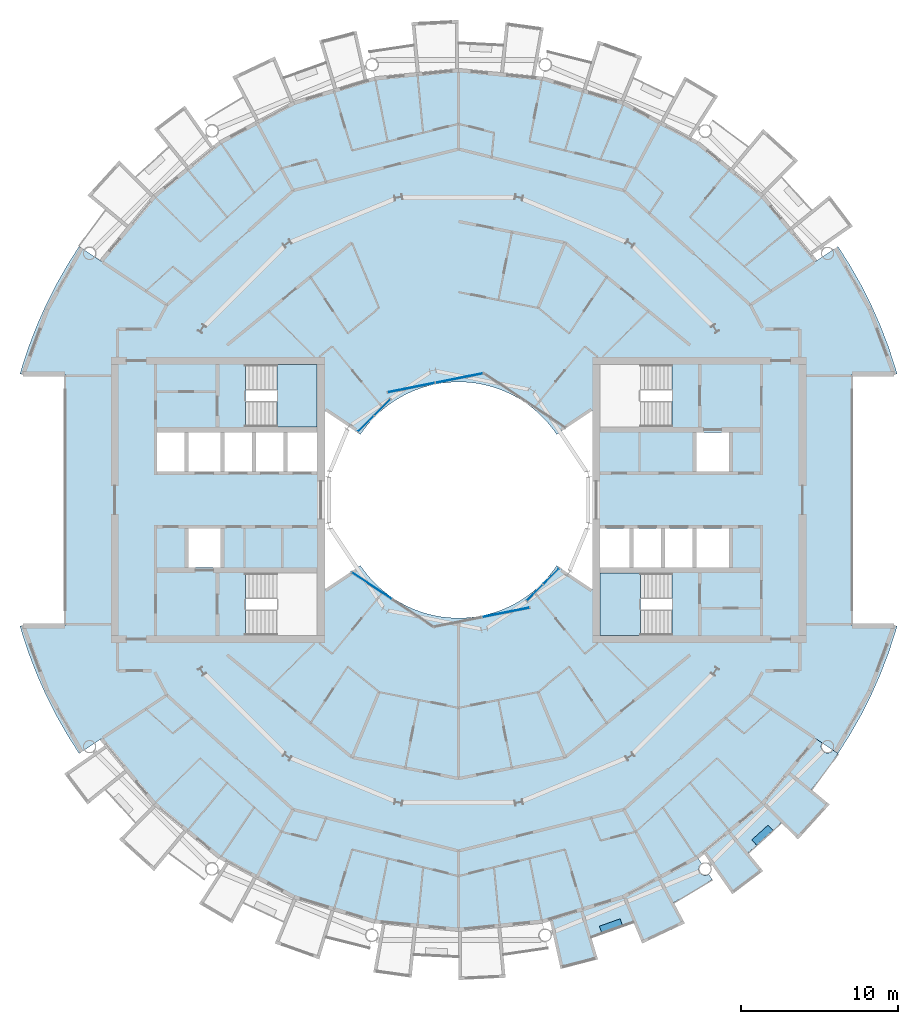
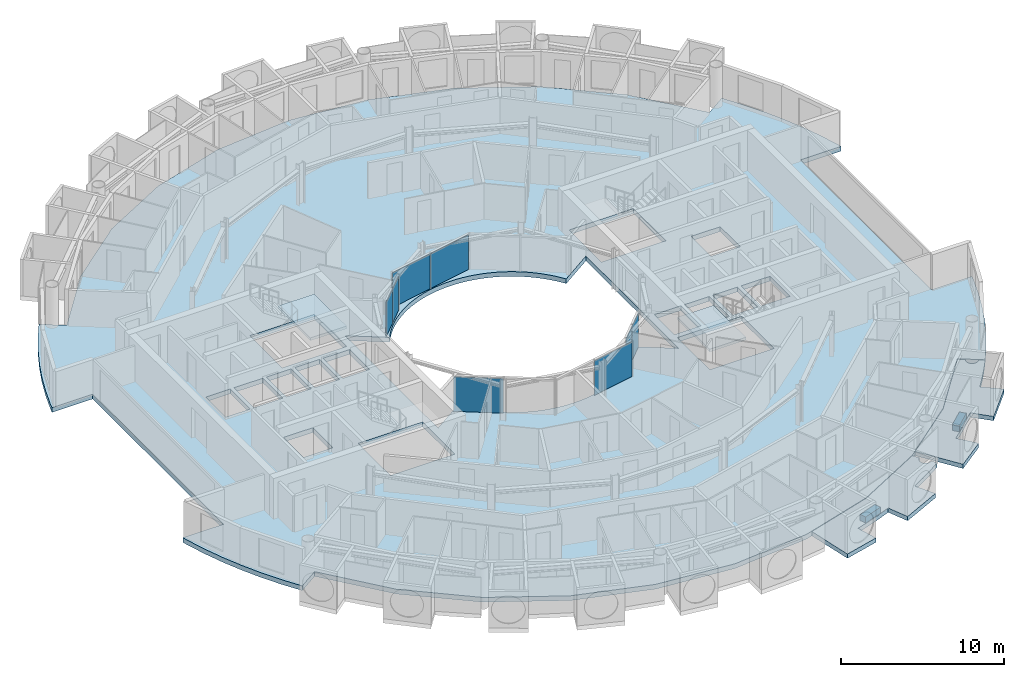
# One storey, part 11 of 26: 8 plates, 7 slabs, 7 elements without a shape of their own.
"""IFC4 building model written with IfcOpenShell, lengths in metres."""

from ifc_helpers import new_model, si_unit, direction, frame, origin, origin_2d, place, context, subcontext, project, spatial, polyline, rectangle, outline, extrude, material, layer, layer_set, type_object, element, aggregate, save


model = new_model("IFC4")

# Units and contexts
model_context = context("Model", 3, precision=1e-05, world=origin(), true_north=direction((0.0, 1.0)))
body_context = subcontext(model_context, "Body", "Model", "MODEL_VIEW")
ifc_project = project(units=[si_unit("LENGTHUNIT", "METRE"), si_unit("AREAUNIT", "SQUARE_METRE"), si_unit("VOLUMEUNIT", "CUBIC_METRE"), si_unit("PLANEANGLEUNIT", "RADIAN"), si_unit("MASSUNIT", "GRAM", prefix="KILO")], contexts=[model_context])

# Site, building, storey
site_placement = place(None, origin())
site = spatial("IfcSite", under=ifc_project, at=site_placement, CompositionType="ELEMENT")
building_placement = place(site_placement, origin())
building = spatial("IfcBuilding", under=site, at=building_placement, Name="Maasbend Ring Residences", CompositionType="ELEMENT")
storey_placement = place(building_placement, frame((0.0, 0.0, 161.60009765625)))
storey = spatial("IfcBuildingStorey", under=building, at=storey_placement, Name="L46", CompositionType="ELEMENT", Elevation=161.60009765625)

# Stair, slab
ifc_material_1 = material(Name="Concrete C40/50", Category="concrete")
stair_type = type_object("IfcStairType", Name="CORE STAIR 18 RISERS", PredefinedType="HALF_TURN_STAIR", material=ifc_material_1)
stair_1_placement = place(storey_placement, origin())
stair_1 = element("IfcStair", 1, at=stair_1_placement, inside=storey, type_object=stair_type, Name="L46 Exit stair ST-E2", PredefinedType="HALF_TURN_STAIR")
ifc_material_2 = material(Name="Concrete C40/50", Category="concrete")
ifc_layer_1 = layer(ifc_material_2, 0.199951171875)
ifc_layer_set_1 = layer_set([ifc_layer_1], Name="Concrete C40/50")
slab_type_1 = type_object("IfcSlabType", Name="CORE STAIR LANDING 200", PredefinedType="LANDING", material=ifc_layer_set_1)
slab_1_placement = place(storey_placement, frame((0.0, 0.0, 1.324951171875)))
slab_1 = element("IfcSlab", 2, at=slab_1_placement, type_object=slab_type_1, Name="ST-E2 landing 1", PredefinedType="LANDING", context=body_context, shape_type="SweptSolid", body=[
    extrude(outline(polyline([(11.550048828125, -4.64990234375), (9.0, -4.64990234375), (9.0, -8.60009765625), (11.550048828125, -8.60009765625), (11.550048828125, -4.64990234375)])), origin(), (0.0, 0.0, 1.0), 0.199951171875),
])
aggregate(stair_1, [slab_1])

stair_2_placement = place(storey_placement, origin())
stair_2 = element("IfcStair", 3, at=stair_2_placement, inside=storey, type_object=stair_type, Name="L46 Exit stair ST-W2", PredefinedType="HALF_TURN_STAIR")
slab_2_placement = place(storey_placement, frame((0.0, 0.0, 1.324951171875)))
slab_2 = element("IfcSlab", 4, at=slab_2_placement, type_object=slab_type_1, Name="ST-W2 landing 1", PredefinedType="LANDING", context=body_context, shape_type="SweptSolid", body=[
    extrude(outline(polyline([(-11.550048828125, 4.64990234375), (-9.0, 4.64990234375), (-9.0, 8.60009765625), (-11.550048828125, 8.60009765625), (-11.550048828125, 4.64990234375)])), origin(), (0.0, 0.0, 1.0), 0.199951171875),
])
aggregate(stair_2, [slab_2])

# Curtain wall, plates
ifc_material_3 = material(Name="Aluminium and clear glass", Category="aluminium")
ifc_layer_2 = layer(ifc_material_3, 0.179931640625)
ifc_layer_set_2 = layer_set([ifc_layer_2], Name="CW-W")
curtain_wall_type = type_object("IfcCurtainWallType", Name="CW-W", PredefinedType="NOTDEFINED", material=ifc_layer_set_2)
curtain_wall_1_placement = place(storey_placement, origin())
curtain_wall_1 = element("IfcCurtainWall", 5, at=curtain_wall_1_placement, inside=storey, type_object=curtain_wall_type, Name="Well curtain wall N2", PredefinedType="NOTDEFINED")
ifc_material_4 = material(Name="Glass clear laminated", Category="glass")
ifc_layer_3 = layer(ifc_material_4, 0.031982421875)
ifc_layer_set_3 = layer_set([ifc_layer_3], Name="CWP-W")
plate_type = type_object("IfcPlateType", Name="CWP-W", PredefinedType="CURTAIN_PANEL", material=ifc_layer_set_3)
plate_1_placement = place(storey_placement, frame((0.04638671875, 7.747802734375, -0.000244140625), z_axis=(0.0, 0.0, 1.0), x_axis=(-0.980785280403, -0.195090322016, 0.0)))
plate_1 = element("IfcPlate", 6, at=plate_1_placement, type_object=plate_type, Name="Glass panel well face", PredefinedType="CURTAIN_PANEL", context=body_context, shape_type="SweptSolid", body=[
    extrude(rectangle(XDim=3.053955078125, YDim=0.031982421875, at=origin_2d()), origin(), (0.0, 0.0, 1.0), 2.580078125),
])
plate_2_placement = place(storey_placement, frame((-3.0078125, 7.140380859375, -0.000244140625), z_axis=(0.0, 0.0, 1.0), x_axis=(-0.980785280403, -0.195090322016, 0.0)))
plate_2 = element("IfcPlate", 7, at=plate_2_placement, type_object=plate_type, Name="Glass panel well face", PredefinedType="CURTAIN_PANEL", context=body_context, shape_type="SweptSolid", body=[
    extrude(rectangle(XDim=3.053955078125, YDim=0.031982421875, at=origin_2d()), origin(), (0.0, 0.0, 1.0), 2.580078125),
])
aggregate(curtain_wall_1, [plate_1, plate_2])

curtain_wall_2_placement = place(storey_placement, origin())
curtain_wall_2 = element("IfcCurtainWall", 8, at=curtain_wall_2_placement, inside=storey, type_object=curtain_wall_type, Name="Well curtain wall N3", PredefinedType="NOTDEFINED")
plate_3_placement = place(storey_placement, frame((-4.84375, 5.89013671875, -0.000244140625), z_axis=(0.0, 0.0, 1.0), x_axis=(-0.707106781187, -0.707106781187, 0.0)))
plate_3 = element("IfcPlate", 9, at=plate_3_placement, type_object=plate_type, Name="Glass panel well face", PredefinedType="CURTAIN_PANEL", context=body_context, shape_type="SweptSolid", body=[
    extrude(rectangle(XDim=1.419677734375, YDim=0.031982421875, at=origin_2d()), origin(), (0.0, 0.0, 1.0), 2.580078125),
])
plate_4_placement = place(storey_placement, frame((-5.89013671875, 4.84375, -0.000244140625), z_axis=(0.0, 0.0, 1.0), x_axis=(-0.707106781187, -0.707106781187, 0.0)))
plate_4 = element("IfcPlate", 10, at=plate_4_placement, type_object=plate_type, Name="Glass panel well face", PredefinedType="CURTAIN_PANEL", context=body_context, shape_type="SweptSolid", body=[
    extrude(rectangle(XDim=1.419677734375, YDim=0.031982421875, at=origin_2d()), origin(), (0.0, 0.0, 1.0), 2.580078125),
])
aggregate(curtain_wall_2, [plate_3, plate_4])

# Curtain wall, plate
curtain_wall_3_placement = place(storey_placement, origin())
curtain_wall_3 = element("IfcCurtainWall", 11, at=curtain_wall_3_placement, inside=storey, type_object=curtain_wall_type, Name="Well curtain wall S1", PredefinedType="NOTDEFINED")
plate_5_placement = place(storey_placement, frame((-5.51123046875, -5.44580078125, -0.000244140625), z_axis=(0.0, 0.0, 1.0), x_axis=(0.831469612303, -0.55557023302, 0.0)))
plate_5 = element("IfcPlate", 12, at=plate_5_placement, type_object=plate_type, Name="Glass panel well face", PredefinedType="CURTAIN_PANEL", context=body_context, shape_type="SweptSolid", body=[
    extrude(rectangle(XDim=3.053955078125, YDim=0.031982421875, at=origin_2d()), origin(), (0.0, 0.0, 1.0), 2.580078125),
])
aggregate(curtain_wall_3, [plate_5])

curtain_wall_4_placement = place(storey_placement, origin())
curtain_wall_4 = element("IfcCurtainWall", 13, at=curtain_wall_4_placement, inside=storey, type_object=curtain_wall_type, Name="Well curtain wall S2", PredefinedType="NOTDEFINED")
plate_6_placement = place(storey_placement, frame((3.0078125, -7.140380859375, -0.000244140625), z_axis=(0.0, 0.0, 1.0), x_axis=(0.980785280403, 0.195090322016, 0.0)))
plate_6 = element("IfcPlate", 14, at=plate_6_placement, type_object=plate_type, Name="Glass panel well face", PredefinedType="CURTAIN_PANEL", context=body_context, shape_type="SweptSolid", body=[
    extrude(rectangle(XDim=3.053955078125, YDim=0.031982421875, at=origin_2d()), origin(), (0.0, 0.0, 1.0), 2.580078125),
])
aggregate(curtain_wall_4, [plate_6])

# Curtain wall, plates
curtain_wall_5_placement = place(storey_placement, origin())
curtain_wall_5 = element("IfcCurtainWall", 15, at=curtain_wall_5_placement, inside=storey, type_object=curtain_wall_type, Name="Well curtain wall S3", PredefinedType="NOTDEFINED")
plate_7_placement = place(storey_placement, frame((4.84375, -5.89013671875, -0.000244140625), z_axis=(0.0, 0.0, 1.0), x_axis=(0.707106781187, 0.707106781187, 0.0)))
plate_7 = element("IfcPlate", 16, at=plate_7_placement, type_object=plate_type, Name="Glass panel well face", PredefinedType="CURTAIN_PANEL", context=body_context, shape_type="SweptSolid", body=[
    extrude(rectangle(XDim=1.419677734375, YDim=0.031982421875, at=origin_2d()), origin(), (0.0, 0.0, 1.0), 2.580078125),
])
plate_8_placement = place(storey_placement, frame((5.89013671875, -4.84375, -0.000244140625), z_axis=(0.0, 0.0, 1.0), x_axis=(0.707106781187, 0.707106781187, 0.0)))
plate_8 = element("IfcPlate", 17, at=plate_8_placement, type_object=plate_type, Name="Glass panel well face", PredefinedType="CURTAIN_PANEL", context=body_context, shape_type="SweptSolid", body=[
    extrude(rectangle(XDim=1.419677734375, YDim=0.031982421875, at=origin_2d()), origin(), (0.0, 0.0, 1.0), 2.580078125),
])
aggregate(curtain_wall_5, [plate_7, plate_8])

# Slabs
ifc_material_5 = material(Name="Planting with climbing greenery")
ifc_layer_4 = layer(ifc_material_5, 0.449951171875)
ifc_layer_set_4 = layer_set([ifc_layer_4], Name="PLANTER-LG")
slab_type_2 = type_object("IfcSlabType", Name="PLANTER-LG", PredefinedType="USERDEFINED", material=ifc_layer_set_4)
slab_3_placement = place(storey_placement, frame((0.0, 0.0, -0.030029296875)))
element("IfcSlab", 18, at=slab_3_placement, inside=storey, type_object=slab_type_2, Name="Planter with climbing greenery 4", ObjectType="PLANTER", PredefinedType="USERDEFINED", context=body_context, shape_type="SweptSolid", body=[
    extrude(outline(polyline([(9.09912109375, -27.508056640625), (10.4169921875, -27.035888671875), (10.26611328125, -26.612060546875), (8.947021484375, -27.083984375), (9.09912109375, -27.508056640625)])), origin(), (0.0, 0.0, 1.0), 0.449951171875),
])
slab_4_placement = place(storey_placement, frame((0.0, 0.0, -0.030029296875)))
element("IfcSlab", 19, at=slab_4_placement, inside=storey, type_object=slab_type_2, Name="Planter with climbing greenery 5", ObjectType="PLANTER", PredefinedType="USERDEFINED", context=body_context, shape_type="SweptSolid", body=[
    extrude(outline(polyline([(18.93310546875, -21.931884765625), (19.969970703125, -20.991943359375), (19.66796875, -20.657958984375), (18.631103515625, -21.597900390625), (18.93310546875, -21.931884765625)])), origin(), (0.0, 0.0, 1.0), 0.449951171875),
])
ifc_material_6 = material(Name="Concrete C40/50", Category="concrete")
ifc_layer_5 = layer(ifc_material_6, 0.35009765625)
ifc_layer_set_5 = layer_set([ifc_layer_5], Name="Concrete C40/50")
slab_type_3 = type_object("IfcSlabType", Name="Post-tensioned flat plate 350", PredefinedType="FLOOR", material=ifc_layer_set_5)
slab_5_placement = place(storey_placement, frame((0.0, 0.0, -0.35009765625)))
element("IfcSlab", 20, at=slab_5_placement, inside=storey, type_object=slab_type_3, Name="Floor slab L46", PredefinedType="FLOOR", context=body_context, shape_type="SweptSolid", body=[
    extrude(outline(polyline([(24.8740234375, -14.908935546875), (25.57568359375, -13.67041015625), (26.2158203125, -12.399169921875), (26.79248046875, -11.097900390625), (27.3046875, -9.769775390625), (27.751220703125, -8.418212890625), (27.866943359375, -8.0), (25.0, -8.0), (25.0, 8.0), (27.866943359375, 8.0), (27.751220703125, 8.418212890625), (27.3046875, 9.769775390625), (26.79248046875, 11.097900390625), (26.2158203125, 12.399169921875), (25.57568359375, 13.67041015625), (24.8740234375, 14.908935546875), (24.112548828125, 16.111572265625), (22.69921875, 15.1669921875), (19.303955078125, 19.303955078125), (15.1669921875, 22.69921875), (10.447265625, 25.221923828125), (5.325927734375, 26.775390625), (0.0, 27.300048828125), (-5.325927734375, 26.775390625), (-10.447265625, 25.221923828125), (-15.1669921875, 22.69921875), (-19.303955078125, 19.303955078125), (-22.69921875, 15.1669921875), (-24.112548828125, 16.111572265625), (-24.8740234375, 14.908935546875), (-25.57568359375, 13.67041015625), (-26.2158203125, 12.399169921875), (-26.79248046875, 11.097900390625), (-27.3046875, 9.769775390625), (-27.751220703125, 8.418212890625), (-27.866943359375, 8.0), (-25.0, 8.0), (-25.0, -8.0), (-27.866943359375, -8.0), (-27.751220703125, -8.418212890625), (-27.3046875, -9.769775390625), (-26.79248046875, -11.097900390625), (-26.2158203125, -12.399169921875), (-25.57568359375, -13.67041015625), (-24.8740234375, -14.908935546875), (-24.112548828125, -16.111572265625), (-22.69921875, -15.1669921875), (-19.303955078125, -19.303955078125), (-15.1669921875, -22.69921875), (-10.447265625, -25.221923828125), (-5.325927734375, -26.775390625), (0.0, -27.300048828125), (5.325927734375, -26.775390625), (10.447265625, -25.221923828125), (15.1669921875, -22.69921875), (19.303955078125, -19.303955078125), (22.69921875, -15.1669921875), (24.112548828125, -16.111572265625), (24.8740234375, -14.908935546875)]), holes=[polyline([(15.125, 1.824951171875), (15.125, 4.27490234375), (17.175048828125, 4.27490234375), (17.175048828125, 1.824951171875), (15.125, 1.824951171875)]), polyline([(15.125, -4.27490234375), (15.125, -1.824951171875), (17.175048828125, -1.824951171875), (17.175048828125, -4.27490234375), (15.125, -4.27490234375)]), polyline([(13.125, -4.27490234375), (13.125, -1.824951171875), (14.875, -1.824951171875), (14.875, -4.27490234375), (13.125, -4.27490234375)]), polyline([(13.550048828125, 8.60009765625), (13.550048828125, 4.64990234375), (9.0, 4.64990234375), (9.0, 8.60009765625), (13.550048828125, 8.60009765625)]), polyline([(13.550048828125, -4.64990234375), (13.550048828125, -8.60009765625), (9.0, -8.60009765625), (9.0, -4.64990234375), (13.550048828125, -4.64990234375)]), polyline([(11.125, -4.27490234375), (11.125, -1.824951171875), (12.875, -1.824951171875), (12.875, -4.27490234375), (11.125, -4.27490234375)]), polyline([(9.0, -4.27490234375), (9.0, -1.824951171875), (10.875, -1.824951171875), (10.875, -4.27490234375), (9.0, -4.27490234375)]), polyline([(6.024169921875, 4.4677734375), (6.236083984375, 4.166748046875), (8.5, 5.679443359375), (8.5, -5.679443359375), (6.236083984375, -4.166748046875), (6.024169921875, -4.4677734375), (5.797607421875, -4.7578125), (5.55712890625, -5.03662109375), (5.30322265625, -5.30322265625), (5.03662109375, -5.55712890625), (4.7578125, -5.797607421875), (4.4677734375, -6.024169921875), (4.166748046875, -6.236083984375), (3.855712890625, -6.43310546875), (3.535400390625, -6.614501953125), (3.206787109375, -6.77978515625), (2.8701171875, -6.92919921875), (2.526611328125, -7.0615234375), (2.177001953125, -7.177001953125), (1.822509765625, -7.275146484375), (1.463134765625, -7.35595703125), (1.1005859375, -7.418701171875), (0.735107421875, -7.4638671875), (0.367919921875, -7.490966796875), (0.0, -7.5), (-0.367919921875, -7.490966796875), (-0.735107421875, -7.4638671875), (-1.1005859375, -7.418701171875), (-1.463134765625, -7.35595703125), (-1.822509765625, -7.275146484375), (-2.177001953125, -7.177001953125), (-2.526611328125, -7.0615234375), (-2.8701171875, -6.92919921875), (-3.206787109375, -6.77978515625), (-3.535400390625, -6.614501953125), (-3.855712890625, -6.43310546875), (-4.166748046875, -6.236083984375), (-4.4677734375, -6.024169921875), (-4.7578125, -5.797607421875), (-5.03662109375, -5.55712890625), (-5.30322265625, -5.30322265625), (-5.55712890625, -5.03662109375), (-5.797607421875, -4.7578125), (-6.024169921875, -4.4677734375), (-6.236083984375, -4.166748046875), (-8.5, -5.679443359375), (-8.5, 5.679443359375), (-6.236083984375, 4.166748046875), (-6.024169921875, 4.4677734375), (-5.797607421875, 4.7578125), (-5.55712890625, 5.03662109375), (-5.30322265625, 5.30322265625), (-5.03662109375, 5.55712890625), (-4.7578125, 5.797607421875), (-4.4677734375, 6.024169921875), (-4.166748046875, 6.236083984375), (-3.855712890625, 6.43310546875), (-3.535400390625, 6.614501953125), (-3.206787109375, 6.77978515625), (-2.8701171875, 6.92919921875), (-2.526611328125, 7.0615234375), (-2.177001953125, 7.177001953125), (-1.822509765625, 7.275146484375), (-1.463134765625, 7.35595703125), (-1.1005859375, 7.418701171875), (-0.735107421875, 7.4638671875), (-0.367919921875, 7.490966796875), (0.0, 7.5), (0.367919921875, 7.490966796875), (0.735107421875, 7.4638671875), (1.1005859375, 7.418701171875), (1.463134765625, 7.35595703125), (1.822509765625, 7.275146484375), (2.177001953125, 7.177001953125), (2.526611328125, 7.0615234375), (2.8701171875, 6.92919921875), (3.206787109375, 6.77978515625), (3.535400390625, 6.614501953125), (3.855712890625, 6.43310546875), (4.166748046875, 6.236083984375), (4.4677734375, 6.024169921875), (4.7578125, 5.797607421875), (5.03662109375, 5.55712890625), (5.30322265625, 5.30322265625), (5.55712890625, 5.03662109375), (5.797607421875, 4.7578125), (6.024169921875, 4.4677734375)]), polyline([(-13.550048828125, 4.64990234375), (-13.550048828125, 8.60009765625), (-9.0, 8.60009765625), (-9.0, 4.64990234375), (-13.550048828125, 4.64990234375)]), polyline([(-9.0, -8.60009765625), (-13.550048828125, -8.60009765625), (-13.550048828125, -4.64990234375), (-9.0, -4.64990234375), (-9.0, -8.60009765625)]), polyline([(-9.0, 4.27490234375), (-9.0, 1.824951171875), (-10.875, 1.824951171875), (-10.875, 4.27490234375), (-9.0, 4.27490234375)]), polyline([(-11.125, 4.27490234375), (-11.125, 1.824951171875), (-12.875, 1.824951171875), (-12.875, 4.27490234375), (-11.125, 4.27490234375)]), polyline([(-13.125, 4.27490234375), (-13.125, 1.824951171875), (-14.875, 1.824951171875), (-14.875, 4.27490234375), (-13.125, 4.27490234375)]), polyline([(-15.125, 4.27490234375), (-15.125, 1.824951171875), (-17.175048828125, 1.824951171875), (-17.175048828125, 4.27490234375), (-15.125, 4.27490234375)]), polyline([(-15.125, -1.824951171875), (-15.125, -4.27490234375), (-17.175048828125, -4.27490234375), (-17.175048828125, -1.824951171875), (-15.125, -1.824951171875)]), polyline([(-17.425048828125, 4.27490234375), (-17.425048828125, 1.824951171875), (-19.14990234375, 1.824951171875), (-19.14990234375, 4.27490234375), (-17.425048828125, 4.27490234375)])]), origin(), (0.0, 0.0, 1.0), 0.35009765625),
])
ifc_material_7 = material(Name="Concrete C40/50", Category="concrete")
ifc_layer_6 = layer(ifc_material_7, 0.199951171875)
ifc_layer_set_6 = layer_set([ifc_layer_6], Name="Concrete C40/50")
slab_type_4 = type_object("IfcSlabType", Name="SL-LOGGIA", PredefinedType="FLOOR", material=ifc_layer_set_6)
slab_6_placement = place(storey_placement, frame((0.0, 0.0, -0.35009765625)))
element("IfcSlab", 21, at=slab_6_placement, inside=storey, type_object=slab_type_4, Name="Loggia floor 1", PredefinedType="FLOOR", context=body_context, shape_type="SweptSolid", body=[
    extrude(outline(polyline([(10.447021484375, -25.221923828125), (12.806884765625, -23.9609375), (15.1669921875, -22.698974609375), (15.1669921875, -22.698974609375), (15.1669921875, -22.698974609375), (15.44091796875, -23.10888671875), (15.43310546875, -23.114990234375), (15.425048828125, -23.12109375), (15.4169921875, -23.126953125), (15.408935546875, -23.133056640625), (15.402099609375, -23.139892578125), (15.39404296875, -23.14599609375), (15.386962890625, -23.153076171875), (15.3798828125, -23.159912109375), (15.373046875, -23.1669921875), (15.365966796875, -23.174072265625), (15.35888671875, -23.181884765625), (15.35302734375, -23.18994140625), (15.346923828125, -23.197021484375), (15.341064453125, -23.205078125), (15.3349609375, -23.212890625), (15.3291015625, -23.221923828125), (15.323974609375, -23.22998046875), (15.318115234375, -23.238037109375), (15.31298828125, -23.2470703125), (15.30908203125, -23.256103515625), (15.303955078125, -23.264892578125), (15.300048828125, -23.27392578125), (15.294921875, -23.282958984375), (15.2919921875, -23.2919921875), (15.2880859375, -23.301025390625), (15.283935546875, -23.31005859375), (15.281005859375, -23.320068359375), (15.278076171875, -23.3291015625), (15.27490234375, -23.339111328125), (15.27294921875, -23.34912109375), (15.27001953125, -23.35791015625), (15.26806640625, -23.367919921875), (15.26708984375, -23.3779296875), (15.264892578125, -23.387939453125), (15.263916015625, -23.39794921875), (15.262939453125, -23.407958984375), (15.261962890625, -23.4169921875), (15.260986328125, -23.427001953125), (15.260986328125, -23.43701171875), (15.260986328125, -23.447021484375), (15.260986328125, -23.45703125), (15.260986328125, -23.467041015625), (15.261962890625, -23.47705078125), (15.262939453125, -23.487060546875), (15.263916015625, -23.4970703125), (15.264892578125, -23.507080078125), (15.26708984375, -23.51708984375), (15.26806640625, -23.527099609375), (15.27001953125, -23.535888671875), (15.27294921875, -23.5458984375), (15.27490234375, -23.555908203125), (15.278076171875, -23.56494140625), (15.281005859375, -23.574951171875), (15.283935546875, -23.583984375), (15.2880859375, -23.593994140625), (15.2919921875, -23.60302734375), (15.294921875, -23.612060546875), (15.300048828125, -23.62109375), (15.303955078125, -23.6298828125), (15.30908203125, -23.638916015625), (15.31298828125, -23.64794921875), (15.318115234375, -23.656005859375), (15.323974609375, -23.6650390625), (15.3291015625, -23.673095703125), (15.3349609375, -23.680908203125), (15.341064453125, -23.68994140625), (15.346923828125, -23.697021484375), (15.35302734375, -23.705078125), (15.35888671875, -23.712890625), (15.365966796875, -23.719970703125), (15.373046875, -23.72802734375), (15.3798828125, -23.735107421875), (15.386962890625, -23.741943359375), (15.39404296875, -23.7490234375), (15.402099609375, -23.7548828125), (15.408935546875, -23.761962890625), (15.4169921875, -23.76806640625), (15.425048828125, -23.77392578125), (15.43310546875, -23.780029296875), (15.44091796875, -23.784912109375), (15.449951171875, -23.791015625), (15.4580078125, -23.7958984375), (15.467041015625, -23.801025390625), (15.47509765625, -23.805908203125), (15.48388671875, -23.81005859375), (15.492919921875, -23.81494140625), (15.501953125, -23.819091796875), (15.511962890625, -23.822998046875), (15.52099609375, -23.826904296875), (15.530029296875, -23.830078125), (15.5400390625, -23.8330078125), (15.549072265625, -23.8359375), (15.55908203125, -23.839111328125), (15.568115234375, -23.842041015625), (15.577880859375, -23.843994140625), (15.587890625, -23.845947265625), (15.597900390625, -23.847900390625), (15.60693359375, -23.85009765625), (15.616943359375, -23.85107421875), (15.626953125, -23.85205078125), (15.636962890625, -23.85302734375), (15.64697265625, -23.85302734375), (15.656982421875, -23.85400390625), (15.6669921875, -23.85400390625), (15.677001953125, -23.85400390625), (15.68701171875, -23.85302734375), (15.697021484375, -23.85302734375), (15.70703125, -23.85205078125), (15.717041015625, -23.85107421875), (15.72705078125, -23.85009765625), (15.737060546875, -23.847900390625), (15.74609375, -23.845947265625), (15.756103515625, -23.843994140625), (15.76611328125, -23.842041015625), (15.77587890625, -23.839111328125), (15.784912109375, -23.8359375), (15.794921875, -23.8330078125), (15.803955078125, -23.830078125), (15.81298828125, -23.826904296875), (15.822998046875, -23.822998046875), (15.83203125, -23.819091796875), (15.841064453125, -23.81494140625), (15.85009765625, -23.81005859375), (15.85888671875, -23.805908203125), (15.866943359375, -23.801025390625), (15.8759765625, -23.7958984375), (15.885009765625, -23.791015625), (15.89306640625, -23.784912109375), (16.112060546875, -24.113037109375), (16.112060546875, -24.113037109375), (16.112060546875, -24.113037109375), (15.31396484375, -24.626953125), (15.31396484375, -24.626953125), (14.5, -25.114990234375), (14.5, -25.114990234375), (13.6708984375, -25.574951171875), (13.6708984375, -25.575927734375), (13.6708984375, -25.575927734375), (13.6708984375, -25.575927734375), (13.6708984375, -25.575927734375), (13.6708984375, -25.575927734375), (13.6708984375, -25.575927734375), (13.6708984375, -25.575927734375), (13.6708984375, -25.575927734375), (13.6708984375, -25.575927734375), (13.6708984375, -25.575927734375), (13.6708984375, -25.575927734375), (13.6708984375, -25.575927734375), (13.6708984375, -25.575927734375), (13.6708984375, -25.575927734375), (13.6708984375, -25.575927734375), (13.6708984375, -25.575927734375), (14.3779296875, -26.89892578125), (14.3779296875, -26.89892578125), (14.3779296875, -26.89892578125), (11.672119140625, -28.177978515625), (11.672119140625, -28.177978515625), (11.672119140625, -28.177978515625), (11.097900390625, -26.79296875), (11.097900390625, -26.79296875), (11.097900390625, -26.79296875), (11.097900390625, -26.79296875), (11.097900390625, -26.79296875), (11.097900390625, -26.79296875), (11.097900390625, -26.79296875), (11.097900390625, -26.79296875), (11.097900390625, -26.79296875), (11.097900390625, -26.79296875), (11.097900390625, -26.79296875), (11.097900390625, -26.79296875), (11.097900390625, -26.79296875), (11.097900390625, -26.79296875), (11.096923828125, -26.79296875), (11.096923828125, -26.79296875), (11.096923828125, -26.79296875), (10.215087890625, -27.14111328125), (10.215087890625, -27.14111328125), (9.322021484375, -27.4609375), (9.322021484375, -27.4609375), (8.4189453125, -27.7509765625), (8.4189453125, -27.7509765625), (8.4189453125, -27.7509765625), (8.4189453125, -27.7509765625), (8.4189453125, -27.7509765625), (8.4189453125, -27.7509765625), (8.41796875, -27.7509765625), (8.41796875, -27.7509765625), (8.41796875, -27.7509765625), (8.41796875, -27.7509765625), (8.41796875, -27.7509765625), (8.41796875, -27.751953125), (8.41796875, -27.751953125), (8.41796875, -27.751953125), (8.41796875, -27.751953125), (8.41796875, -27.751953125), (8.41796875, -27.751953125), (8.85400390625, -29.18701171875), (8.85400390625, -29.18701171875), (8.85400390625, -29.18701171875), (6.487060546875, -29.802001953125), (6.487060546875, -29.802001953125), (6.487060546875, -29.802001953125), (5.797119140625, -26.633056640625), (5.797119140625, -26.633056640625), (5.797119140625, -26.633056640625), (7.886962890625, -25.9990234375), (10.447021484375, -25.221923828125), (10.447021484375, -25.221923828125), (10.447021484375, -25.221923828125)])), origin(), (0.0, 0.0, 1.0), 0.320068359375),
])
slab_7_placement = place(storey_placement, frame((0.0, 0.0, -0.35009765625)))
element("IfcSlab", 22, at=slab_7_placement, inside=storey, type_object=slab_type_4, Name="Loggia floor 4", PredefinedType="FLOOR", context=body_context, shape_type="SweptSolid", body=[
    extrude(outline(polyline([(19.303955078125, -19.303955078125), (21.001953125, -17.236083984375), (22.698974609375, -15.1669921875), (22.698974609375, -15.1669921875), (22.698974609375, -15.1669921875), (23.10888671875, -15.44091796875), (23.10888671875, -15.44091796875), (23.10400390625, -15.449951171875), (23.09912109375, -15.4580078125), (23.093994140625, -15.467041015625), (23.089111328125, -15.47509765625), (23.083984375, -15.48388671875), (23.080078125, -15.492919921875), (23.075927734375, -15.501953125), (23.072021484375, -15.511962890625), (23.068115234375, -15.52099609375), (23.06494140625, -15.530029296875), (23.06103515625, -15.5400390625), (23.05810546875, -15.549072265625), (23.055908203125, -15.55908203125), (23.052978515625, -15.568115234375), (23.051025390625, -15.577880859375), (23.049072265625, -15.587890625), (23.047119140625, -15.597900390625), (23.044921875, -15.60693359375), (23.0439453125, -15.616943359375), (23.04296875, -15.626953125), (23.0419921875, -15.636962890625), (23.041015625, -15.64697265625), (23.041015625, -15.656982421875), (23.041015625, -15.6669921875), (23.041015625, -15.677001953125), (23.041015625, -15.68701171875), (23.0419921875, -15.697021484375), (23.04296875, -15.70703125), (23.0439453125, -15.717041015625), (23.044921875, -15.72705078125), (23.047119140625, -15.737060546875), (23.049072265625, -15.74609375), (23.051025390625, -15.756103515625), (23.052978515625, -15.76611328125), (23.055908203125, -15.77587890625), (23.05810546875, -15.784912109375), (23.06103515625, -15.794921875), (23.06494140625, -15.803955078125), (23.068115234375, -15.81298828125), (23.072021484375, -15.822998046875), (23.075927734375, -15.83203125), (23.080078125, -15.841064453125), (23.083984375, -15.85009765625), (23.089111328125, -15.85888671875), (23.093994140625, -15.866943359375), (23.09912109375, -15.8759765625), (23.10400390625, -15.885009765625), (23.10888671875, -15.89306640625), (23.114990234375, -15.90087890625), (23.12109375, -15.908935546875), (23.126953125, -15.9169921875), (23.133056640625, -15.925048828125), (23.139892578125, -15.93310546875), (23.14599609375, -15.93994140625), (23.153076171875, -15.947021484375), (23.159912109375, -15.955078125), (23.1669921875, -15.9619140625), (23.174072265625, -15.968017578125), (23.181884765625, -15.97509765625), (23.18994140625, -15.98095703125), (23.197021484375, -15.988037109375), (23.205078125, -15.993896484375), (23.212890625, -15.9990234375), (23.221923828125, -16.0048828125), (23.22998046875, -16.010986328125), (23.238037109375, -16.01611328125), (23.2470703125, -16.02099609375), (23.256103515625, -16.02587890625), (23.264892578125, -16.030029296875), (23.27392578125, -16.034912109375), (23.282958984375, -16.0390625), (23.2919921875, -16.04296875), (23.301025390625, -16.0458984375), (23.31005859375, -16.050048828125), (23.320068359375, -16.052978515625), (23.3291015625, -16.055908203125), (23.339111328125, -16.05908203125), (23.34912109375, -16.06103515625), (23.35791015625, -16.06396484375), (23.367919921875, -16.06591796875), (23.3779296875, -16.068115234375), (23.387939453125, -16.069091796875), (23.39794921875, -16.071044921875), (23.407958984375, -16.072021484375), (23.4169921875, -16.072021484375), (23.427001953125, -16.072998046875), (23.43701171875, -16.072998046875), (23.447021484375, -16.073974609375), (23.45703125, -16.072998046875), (23.467041015625, -16.072998046875), (23.47705078125, -16.072021484375), (23.487060546875, -16.072021484375), (23.4970703125, -16.071044921875), (23.507080078125, -16.069091796875), (23.51708984375, -16.068115234375), (23.527099609375, -16.06591796875), (23.535888671875, -16.06396484375), (23.5458984375, -16.06103515625), (23.555908203125, -16.05908203125), (23.56494140625, -16.055908203125), (23.574951171875, -16.052978515625), (23.583984375, -16.050048828125), (23.593994140625, -16.0458984375), (23.60302734375, -16.04296875), (23.612060546875, -16.0390625), (23.62109375, -16.034912109375), (23.6298828125, -16.030029296875), (23.638916015625, -16.02587890625), (23.64794921875, -16.02099609375), (23.656005859375, -16.01611328125), (23.6650390625, -16.010986328125), (23.673095703125, -16.0048828125), (23.680908203125, -15.9990234375), (23.68994140625, -15.993896484375), (23.697021484375, -15.988037109375), (23.705078125, -15.98095703125), (23.712890625, -15.97509765625), (23.719970703125, -15.968017578125), (23.72802734375, -15.9619140625), (23.735107421875, -15.955078125), (23.741943359375, -15.947021484375), (23.7490234375, -15.93994140625), (23.7548828125, -15.93310546875), (23.761962890625, -15.925048828125), (23.76806640625, -15.9169921875), (23.77392578125, -15.908935546875), (23.780029296875, -15.90087890625), (23.784912109375, -15.89306640625), (23.784912109375, -15.89306640625), (24.113037109375, -16.112060546875), (24.113037109375, -16.112060546875), (24.113037109375, -16.112060546875), (23.572998046875, -16.89208984375), (23.572998046875, -16.89208984375), (23.007080078125, -17.654052734375), (23.007080078125, -17.654052734375), (22.41796875, -18.39697265625), (22.41796875, -18.39697265625), (22.41796875, -18.39697265625), (22.41796875, -18.39697265625), (22.41796875, -18.39697265625), (22.41796875, -18.39697265625), (22.41796875, -18.39697265625), (22.41796875, -18.39697265625), (22.41796875, -18.39697265625), (22.41796875, -18.39697265625), (22.41796875, -18.39697265625), (22.41796875, -18.39794921875), (22.41796875, -18.39794921875), (22.41796875, -18.39794921875), (22.41796875, -18.39794921875), (22.41796875, -18.39794921875), (22.41796875, -18.39794921875), (23.576904296875, -19.34912109375), (23.576904296875, -19.34912109375), (23.576904296875, -19.34912109375), (21.56689453125, -21.56689453125), (21.56689453125, -21.56689453125), (21.56689453125, -21.56689453125), (20.506103515625, -20.506103515625), (20.506103515625, -20.506103515625), (20.506103515625, -20.506103515625), (20.506103515625, -20.506103515625), (20.506103515625, -20.506103515625), (20.506103515625, -20.506103515625), (20.506103515625, -20.506103515625), (20.506103515625, -20.506103515625), (20.506103515625, -20.506103515625), (20.506103515625, -20.506103515625), (20.506103515625, -20.506103515625), (20.506103515625, -20.506103515625), (20.506103515625, -20.506103515625), (20.506103515625, -20.506103515625), (20.506103515625, -20.506103515625), (20.506103515625, -20.506103515625), (20.506103515625, -20.506103515625), (19.823974609375, -21.166015625), (19.823974609375, -21.166015625), (19.12109375, -21.802978515625), (19.12109375, -21.802978515625), (18.39794921875, -22.4169921875), (18.39794921875, -22.4169921875), (18.39794921875, -22.4169921875), (18.39794921875, -22.4169921875), (18.39794921875, -22.4169921875), (18.39794921875, -22.4169921875), (18.39794921875, -22.4169921875), (18.39794921875, -22.4169921875), (18.39794921875, -22.4169921875), (18.39794921875, -22.4169921875), (18.39794921875, -22.4169921875), (18.39794921875, -22.4169921875), (18.39794921875, -22.41796875), (18.39794921875, -22.41796875), (18.39794921875, -22.41796875), (18.39794921875, -22.41796875), (18.39794921875, -22.41796875), (19.34912109375, -23.576904296875), (19.34912109375, -23.576904296875), (19.34912109375, -23.576904296875), (17.39794921875, -25.051025390625), (17.39794921875, -25.051025390625), (17.39794921875, -25.051025390625), (15.547119140625, -22.386962890625), (15.547119140625, -22.386962890625), (15.547119140625, -22.386962890625), (17.236083984375, -21.001953125), (19.303955078125, -19.303955078125), (19.303955078125, -19.303955078125), (19.303955078125, -19.303955078125)])), origin(), (0.0, 0.0, 1.0), 0.320068359375),
])

save(model, "model.ifc")
